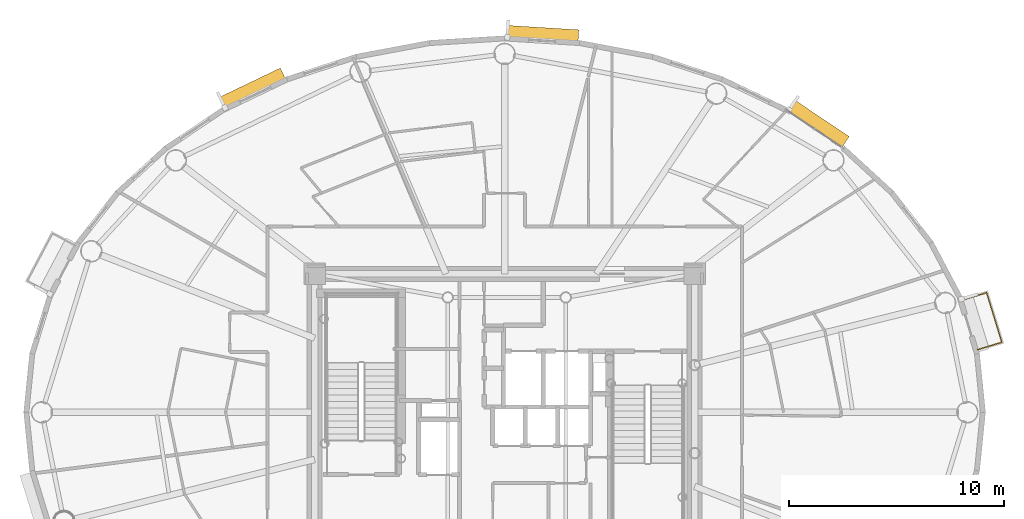
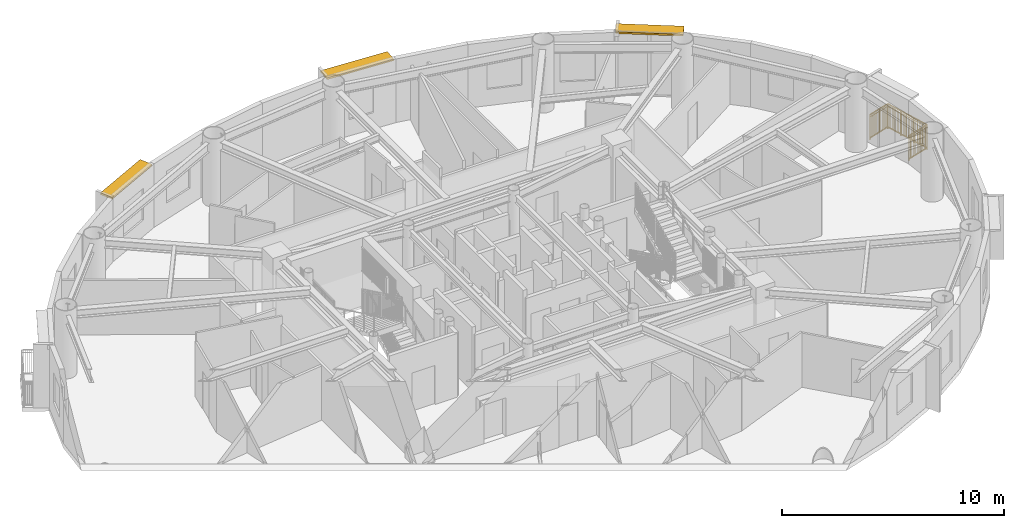
# One storey, part 17 of 17: 3 shading devices, 1 railing.
"""IFC4 building model written with IfcOpenShell, lengths in metres."""

from ifc_helpers import new_model, si_unit, direction, frame, origin, origin_2d, place, context, subcontext, project, spatial, rectangle, extrude, source, transform, mapped, material, layer, layer_set, type_object, element, save


model = new_model("IFC4")

# Units and contexts
model_context = context("Model", 3, precision=1e-05, world=origin(), true_north=direction((0.0, 1.0)))
body_context = subcontext(model_context, "Body", "Model", "MODEL_VIEW")
ifc_project = project(units=[si_unit("LENGTHUNIT", "METRE"), si_unit("AREAUNIT", "SQUARE_METRE"), si_unit("VOLUMEUNIT", "CUBIC_METRE"), si_unit("PLANEANGLEUNIT", "RADIAN"), si_unit("MASSUNIT", "GRAM", prefix="KILO")], contexts=[model_context])

# Site, building, storey
site_placement = place(None, origin())
site = spatial("IfcSite", under=ifc_project, at=site_placement, CompositionType="ELEMENT")
building_placement = place(site_placement, origin())
building = spatial("IfcBuilding", under=site, at=building_placement, Name="Linh Dai School and Residence Tower", CompositionType="ELEMENT")
storey_placement = place(building_placement, frame((0.0, 0.0, 303.0)))
storey = spatial("IfcBuildingStorey", under=building, at=storey_placement, Name="L75", CompositionType="ELEMENT", Elevation=303.0)

# Railing
ifc_material_1 = material(Name="Structural Steel S355JR", Category="steel")
railing_type = type_object("IfcRailingType", Name="RL-BAL-1400", PredefinedType="BALUSTRADE", material=ifc_material_1)
shared_shape_1 = source(origin(), body_context, "Body", "SweptSolid", [
    extrude(rectangle(XDim=0.048095703125, YDim=0.048095703125, at=origin_2d()), frame((0.0, 0.0, 1.3759765625), z_axis=(0.95606039398, 0.293169785386, 0.0), x_axis=(-0.293169785386, 0.95606039398, 0.0)), (0.0, 0.0, 1.0), 1.179931640625),
    extrude(rectangle(XDim=0.048095703125, YDim=0.048095703125, at=origin_2d()), frame((0.0, 0.0, 0.10009765625), z_axis=(0.95606039398, 0.293169785386, 0.0), x_axis=(-0.293169785386, 0.95606039398, 0.0)), (0.0, 0.0, 1.0), 1.179931640625),
    extrude(rectangle(XDim=0.030029296875, YDim=0.030029296875, at=origin_2d()), frame((0.0, 0.0, 1.239990234375), z_axis=(0.95606039398, 0.293169785386, 0.0), x_axis=(-0.293169785386, 0.95606039398, 0.0)), (0.0, 0.0, 1.0), 1.179931640625),
    extrude(rectangle(XDim=0.02001953125, YDim=0.02001953125, at=origin_2d()), frame((0.086669921875, 0.026611328125, 0.10009765625)), (0.0, 0.0, 1.0), 1.251708984375),
    extrude(rectangle(XDim=0.02001953125, YDim=0.02001953125, at=origin_2d()), frame((0.173583984375, 0.05322265625, 0.10009765625)), (0.0, 0.0, 1.0), 1.251708984375),
    extrude(rectangle(XDim=0.02001953125, YDim=0.02001953125, at=origin_2d()), frame((0.26025390625, 0.079833984375, 0.10009765625)), (0.0, 0.0, 1.0), 1.251708984375),
    extrude(rectangle(XDim=0.02001953125, YDim=0.02001953125, at=origin_2d()), frame((0.34716796875, 0.1064453125, 0.10009765625)), (0.0, 0.0, 1.0), 1.251708984375),
    extrude(rectangle(XDim=0.02001953125, YDim=0.02001953125, at=origin_2d()), frame((0.433837890625, 0.133056640625, 0.10009765625)), (0.0, 0.0, 1.0), 1.251708984375),
    extrude(rectangle(XDim=0.02001953125, YDim=0.02001953125, at=origin_2d()), frame((0.520751953125, 0.15966796875, 0.10009765625)), (0.0, 0.0, 1.0), 1.251708984375),
    extrude(rectangle(XDim=0.02001953125, YDim=0.02001953125, at=origin_2d()), frame((0.607421875, 0.186279296875, 0.10009765625)), (0.0, 0.0, 1.0), 1.251708984375),
    extrude(rectangle(XDim=0.02001953125, YDim=0.02001953125, at=origin_2d()), frame((0.6943359375, 0.212890625, 0.10009765625)), (0.0, 0.0, 1.0), 1.251708984375),
    extrude(rectangle(XDim=0.02001953125, YDim=0.02001953125, at=origin_2d()), frame((0.781005859375, 0.239501953125, 0.10009765625)), (0.0, 0.0, 1.0), 1.251708984375),
    extrude(rectangle(XDim=0.02001953125, YDim=0.02001953125, at=origin_2d()), frame((0.867919921875, 0.26611328125, 0.10009765625)), (0.0, 0.0, 1.0), 1.251708984375),
    extrude(rectangle(XDim=0.02001953125, YDim=0.02001953125, at=origin_2d()), frame((0.95458984375, 0.292724609375, 0.10009765625)), (0.0, 0.0, 1.0), 1.251708984375),
    extrude(rectangle(XDim=0.02001953125, YDim=0.02001953125, at=origin_2d()), frame((1.04150390625, 0.3193359375, 0.10009765625)), (0.0, 0.0, 1.0), 1.251708984375),
    extrude(rectangle(XDim=0.048095703125, YDim=0.048095703125, at=origin_2d()), frame((1.128173828125, 0.345947265625, 1.3759765625), z_axis=(0.293148070625, -0.956067052402, 0.0), x_axis=(0.956067052402, 0.293148070625, 0.0)), (0.0, 0.0, 1.0), 2.415283203125),
    extrude(rectangle(XDim=0.048095703125, YDim=0.048095703125, at=origin_2d()), frame((1.128173828125, 0.345947265625, 0.10009765625), z_axis=(0.293148070625, -0.956067052402, 0.0), x_axis=(0.956067052402, 0.293148070625, 0.0)), (0.0, 0.0, 1.0), 2.415283203125),
    extrude(rectangle(XDim=0.030029296875, YDim=0.030029296875, at=origin_2d()), frame((1.128173828125, 0.345947265625, 1.239990234375), z_axis=(0.293148070625, -0.956067052402, 0.0), x_axis=(0.956067052402, 0.293148070625, 0.0)), (0.0, 0.0, 1.0), 2.415283203125),
    extrude(rectangle(XDim=0.02001953125, YDim=0.02001953125, at=origin_2d()), frame((1.156494140625, 0.253662109375, 0.10009765625)), (0.0, 0.0, 1.0), 1.251708984375),
    extrude(rectangle(XDim=0.02001953125, YDim=0.02001953125, at=origin_2d()), frame((1.184814453125, 0.1611328125, 0.10009765625)), (0.0, 0.0, 1.0), 1.251708984375),
    extrude(rectangle(XDim=0.02001953125, YDim=0.02001953125, at=origin_2d()), frame((1.213134765625, 0.06884765625, 0.10009765625)), (0.0, 0.0, 1.0), 1.251708984375),
    extrude(rectangle(XDim=0.02001953125, YDim=0.02001953125, at=origin_2d()), frame((1.241455078125, -0.0234375, 0.10009765625)), (0.0, 0.0, 1.0), 1.251708984375),
    extrude(rectangle(XDim=0.02001953125, YDim=0.02001953125, at=origin_2d()), frame((1.269775390625, -0.115966796875, 0.10009765625)), (0.0, 0.0, 1.0), 1.251708984375),
    extrude(rectangle(XDim=0.02001953125, YDim=0.02001953125, at=origin_2d()), frame((1.298095703125, -0.208251953125, 0.10009765625)), (0.0, 0.0, 1.0), 1.251708984375),
    extrude(rectangle(XDim=0.02001953125, YDim=0.02001953125, at=origin_2d()), frame((1.326416015625, -0.300537109375, 0.10009765625)), (0.0, 0.0, 1.0), 1.251708984375),
    extrude(rectangle(XDim=0.02001953125, YDim=0.02001953125, at=origin_2d()), frame((1.383056640625, -0.4853515625, 0.10009765625)), (0.0, 0.0, 1.0), 1.251708984375),
    extrude(rectangle(XDim=0.02001953125, YDim=0.02001953125, at=origin_2d()), frame((1.411376953125, -0.57763671875, 0.10009765625)), (0.0, 0.0, 1.0), 1.251708984375),
    extrude(rectangle(XDim=0.02001953125, YDim=0.02001953125, at=origin_2d()), frame((1.439697265625, -0.670166015625, 0.10009765625)), (0.0, 0.0, 1.0), 1.251708984375),
    extrude(rectangle(XDim=0.02001953125, YDim=0.02001953125, at=origin_2d()), frame((1.468017578125, -0.762451171875, 0.10009765625)), (0.0, 0.0, 1.0), 1.251708984375),
    extrude(rectangle(XDim=0.02001953125, YDim=0.02001953125, at=origin_2d()), frame((1.496337890625, -0.854736328125, 0.10009765625)), (0.0, 0.0, 1.0), 1.251708984375),
    extrude(rectangle(XDim=0.02001953125, YDim=0.02001953125, at=origin_2d()), frame((1.524658203125, -0.947021484375, 0.10009765625)), (0.0, 0.0, 1.0), 1.251708984375),
    extrude(rectangle(XDim=0.02001953125, YDim=0.02001953125, at=origin_2d()), frame((1.552978515625, -1.03955078125, 0.10009765625)), (0.0, 0.0, 1.0), 1.251708984375),
    extrude(rectangle(XDim=0.02001953125, YDim=0.02001953125, at=origin_2d()), frame((1.581298828125, -1.1318359375, 0.10009765625)), (0.0, 0.0, 1.0), 1.251708984375),
    extrude(rectangle(XDim=0.02001953125, YDim=0.02001953125, at=origin_2d()), frame((1.637939453125, -1.316650390625, 0.10009765625)), (0.0, 0.0, 1.0), 1.251708984375),
    extrude(rectangle(XDim=0.02001953125, YDim=0.02001953125, at=origin_2d()), frame((1.666259765625, -1.408935546875, 0.10009765625)), (0.0, 0.0, 1.0), 1.251708984375),
    extrude(rectangle(XDim=0.02001953125, YDim=0.02001953125, at=origin_2d()), frame((1.694580078125, -1.501220703125, 0.10009765625)), (0.0, 0.0, 1.0), 1.251708984375),
    extrude(rectangle(XDim=0.02001953125, YDim=0.02001953125, at=origin_2d()), frame((1.722900390625, -1.59375, 0.10009765625)), (0.0, 0.0, 1.0), 1.251708984375),
    extrude(rectangle(XDim=0.02001953125, YDim=0.02001953125, at=origin_2d()), frame((1.751220703125, -1.68603515625, 0.10009765625)), (0.0, 0.0, 1.0), 1.251708984375),
    extrude(rectangle(XDim=0.02001953125, YDim=0.02001953125, at=origin_2d()), frame((1.779541015625, -1.7783203125, 0.10009765625)), (0.0, 0.0, 1.0), 1.251708984375),
    extrude(rectangle(XDim=0.02001953125, YDim=0.02001953125, at=origin_2d()), frame((1.807861328125, -1.870849609375, 0.10009765625)), (0.0, 0.0, 1.0), 1.251708984375),
    extrude(rectangle(XDim=0.048095703125, YDim=0.048095703125, at=origin_2d()), frame((1.836181640625, -1.963134765625, 1.3759765625), z_axis=(-0.95606039398, -0.293169785386, 0.0), x_axis=(0.293169785386, -0.95606039398, 0.0)), (0.0, 0.0, 1.0), 1.179931640625),
    extrude(rectangle(XDim=0.048095703125, YDim=0.048095703125, at=origin_2d()), frame((1.836181640625, -1.963134765625, 0.10009765625), z_axis=(-0.95606039398, -0.293169785386, 0.0), x_axis=(0.293169785386, -0.95606039398, 0.0)), (0.0, 0.0, 1.0), 1.179931640625),
    extrude(rectangle(XDim=0.030029296875, YDim=0.030029296875, at=origin_2d()), frame((1.836181640625, -1.963134765625, 1.239990234375), z_axis=(-0.95606039398, -0.293169785386, 0.0), x_axis=(0.293169785386, -0.95606039398, 0.0)), (0.0, 0.0, 1.0), 1.179931640625),
    extrude(rectangle(XDim=0.02001953125, YDim=0.02001953125, at=origin_2d()), frame((1.74951171875, -1.98974609375, 0.10009765625)), (0.0, 0.0, 1.0), 1.251708984375),
    extrude(rectangle(XDim=0.02001953125, YDim=0.02001953125, at=origin_2d()), frame((1.66259765625, -2.016357421875, 0.10009765625)), (0.0, 0.0, 1.0), 1.251708984375),
    extrude(rectangle(XDim=0.02001953125, YDim=0.02001953125, at=origin_2d()), frame((1.575927734375, -2.04296875, 0.10009765625)), (0.0, 0.0, 1.0), 1.251708984375),
    extrude(rectangle(XDim=0.02001953125, YDim=0.02001953125, at=origin_2d()), frame((1.489013671875, -2.069580078125, 0.10009765625)), (0.0, 0.0, 1.0), 1.251708984375),
    extrude(rectangle(XDim=0.02001953125, YDim=0.02001953125, at=origin_2d()), frame((1.40234375, -2.09619140625, 0.10009765625)), (0.0, 0.0, 1.0), 1.251708984375),
    extrude(rectangle(XDim=0.02001953125, YDim=0.02001953125, at=origin_2d()), frame((1.3154296875, -2.122802734375, 0.10009765625)), (0.0, 0.0, 1.0), 1.251708984375),
    extrude(rectangle(XDim=0.02001953125, YDim=0.02001953125, at=origin_2d()), frame((1.228759765625, -2.1494140625, 0.10009765625)), (0.0, 0.0, 1.0), 1.251708984375),
    extrude(rectangle(XDim=0.02001953125, YDim=0.02001953125, at=origin_2d()), frame((1.141845703125, -2.176025390625, 0.10009765625)), (0.0, 0.0, 1.0), 1.251708984375),
    extrude(rectangle(XDim=0.02001953125, YDim=0.02001953125, at=origin_2d()), frame((1.05517578125, -2.20263671875, 0.10009765625)), (0.0, 0.0, 1.0), 1.251708984375),
    extrude(rectangle(XDim=0.02001953125, YDim=0.02001953125, at=origin_2d()), frame((0.96826171875, -2.229248046875, 0.10009765625)), (0.0, 0.0, 1.0), 1.251708984375),
    extrude(rectangle(XDim=0.02001953125, YDim=0.02001953125, at=origin_2d()), frame((0.881591796875, -2.255859375, 0.10009765625)), (0.0, 0.0, 1.0), 1.251708984375),
    extrude(rectangle(XDim=0.02001953125, YDim=0.02001953125, at=origin_2d()), frame((0.794677734375, -2.282470703125, 0.10009765625)), (0.0, 0.0, 1.0), 1.251708984375),
    extrude(rectangle(XDim=0.0419921875, YDim=0.0419921875, at=origin_2d()), origin(), (0.0, 0.0, 1.0), 1.3759765625),
    extrude(rectangle(XDim=0.0419921875, YDim=0.0419921875, at=origin_2d()), frame((1.128173828125, 0.345947265625, 0.0)), (0.0, 0.0, 1.0), 1.3759765625),
    extrude(rectangle(XDim=0.0419921875, YDim=0.0419921875, at=origin_2d()), frame((1.3642578125, -0.423828125, 0.0)), (0.0, 0.0, 1.0), 1.3759765625),
    extrude(rectangle(XDim=0.0419921875, YDim=0.0419921875, at=origin_2d()), frame((1.60009765625, -1.193359375, 0.0)), (0.0, 0.0, 1.0), 1.3759765625),
    extrude(rectangle(XDim=0.0419921875, YDim=0.0419921875, at=origin_2d()), frame((1.836181640625, -1.963134765625, 0.0)), (0.0, 0.0, 1.0), 1.3759765625),
    extrude(rectangle(XDim=0.0419921875, YDim=0.0419921875, at=origin_2d()), frame((0.7080078125, -2.30908203125, 0.0)), (0.0, 0.0, 1.0), 1.3759765625),
])
railing_placement = place(storey_placement, frame((57.322265625, 32.22509765625, 0.0)))
element("IfcRailing", 1, at=railing_placement, inside=storey, type_object=railing_type, Name="L75 Balcony Safety Balustrade 02", PredefinedType="BALUSTRADE", context=body_context, shape_type="MappedRepresentation", body=[
    mapped(shared_shape_1, transform((0.0, 0.0, 0.0), x_axis=(1.0, 0.0, 0.0), y_axis=(0.0, 1.0, 0.0), z_axis=(0.0, 0.0, 1.0), scale=1.0)),
])

# Shading devices
ifc_material_2 = material(Name="Terracotta Ceramic Sunshade", Category="masonry")
ifc_layer = layer(ifc_material_2, 0.10009765625)
ifc_layer_set = layer_set([ifc_layer], Name="Terracotta Ceramic Sunshade")
shading_device_type = type_object("IfcShadingDeviceType", Name="SHD-TC-650", PredefinedType="USERDEFINED", material=ifc_layer_set)
shared_shape_2 = source(origin(), body_context, "Body", "SweptSolid", [
    extrude(rectangle(XDim=3.069091796875, YDim=0.64990234375, at=origin_2d()), origin(), (0.0, 0.0, 1.0), 0.10009765625),
])
shading_device_1_placement = place(storey_placement, frame((50.591796875, 40.4296875, 3.3798828125), z_axis=(0.0, 0.0, 1.0), x_axis=(0.831243873264, -0.555907926874, 0.0)))
element("IfcShadingDevice", 2, at=shading_device_1_placement, inside=storey, type_object=shading_device_type, Name="L75 Terracotta Horizontal Sunshade Band 06", ObjectType="SUNSHADE", PredefinedType="USERDEFINED", context=body_context, shape_type="MappedRepresentation", body=[
    mapped(shared_shape_2, transform((0.0, 0.0, 0.0), x_axis=(1.0, 0.0, 0.0), y_axis=(0.0, 1.0, 0.0), z_axis=(0.0, 0.0, 1.0), scale=1.0)),
])
shared_shape_3 = source(origin(), body_context, "Body", "SweptSolid", [
    extrude(rectangle(XDim=3.355712890625, YDim=0.64990234375, at=origin_2d()), origin(), (0.0, 0.0, 1.0), 0.10009765625),
])
shading_device_2_placement = place(storey_placement, frame((37.761962890625, 44.592041015625, 3.3798828125), z_axis=(0.0, 0.0, 1.0), x_axis=(0.998106469364, -0.061509965157, 0.0)))
element("IfcShadingDevice", 3, at=shading_device_2_placement, inside=storey, type_object=shading_device_type, Name="L75 Terracotta Horizontal Sunshade Band 10", ObjectType="SUNSHADE", PredefinedType="USERDEFINED", context=body_context, shape_type="MappedRepresentation", body=[
    mapped(shared_shape_3, transform((0.0, 0.0, 0.0), x_axis=(1.0, 0.0, 0.0), y_axis=(0.0, 1.0, 0.0), z_axis=(0.0, 0.0, 1.0), scale=1.0)),
])
shared_shape_4 = source(origin(), body_context, "Body", "SweptSolid", [
    extrude(rectangle(XDim=3.1748046875, YDim=0.64990234375, at=origin_2d()), origin(), (0.0, 0.0, 1.0), 0.10009765625),
])
shading_device_3_placement = place(storey_placement, frame((24.262939453125, 42.0537109375, 3.3798828125), z_axis=(0.0, 0.0, 1.0), x_axis=(0.901580240323, 0.432611916456, 0.0)))
element("IfcShadingDevice", 4, at=shading_device_3_placement, inside=storey, type_object=shading_device_type, Name="L75 Terracotta Horizontal Sunshade Band 14", ObjectType="SUNSHADE", PredefinedType="USERDEFINED", context=body_context, shape_type="MappedRepresentation", body=[
    mapped(shared_shape_4, transform((0.0, 0.0, 0.0), x_axis=(1.0, 0.0, 0.0), y_axis=(0.0, 1.0, 0.0), z_axis=(0.0, 0.0, 1.0), scale=1.0)),
])

save(model, "model.ifc")
